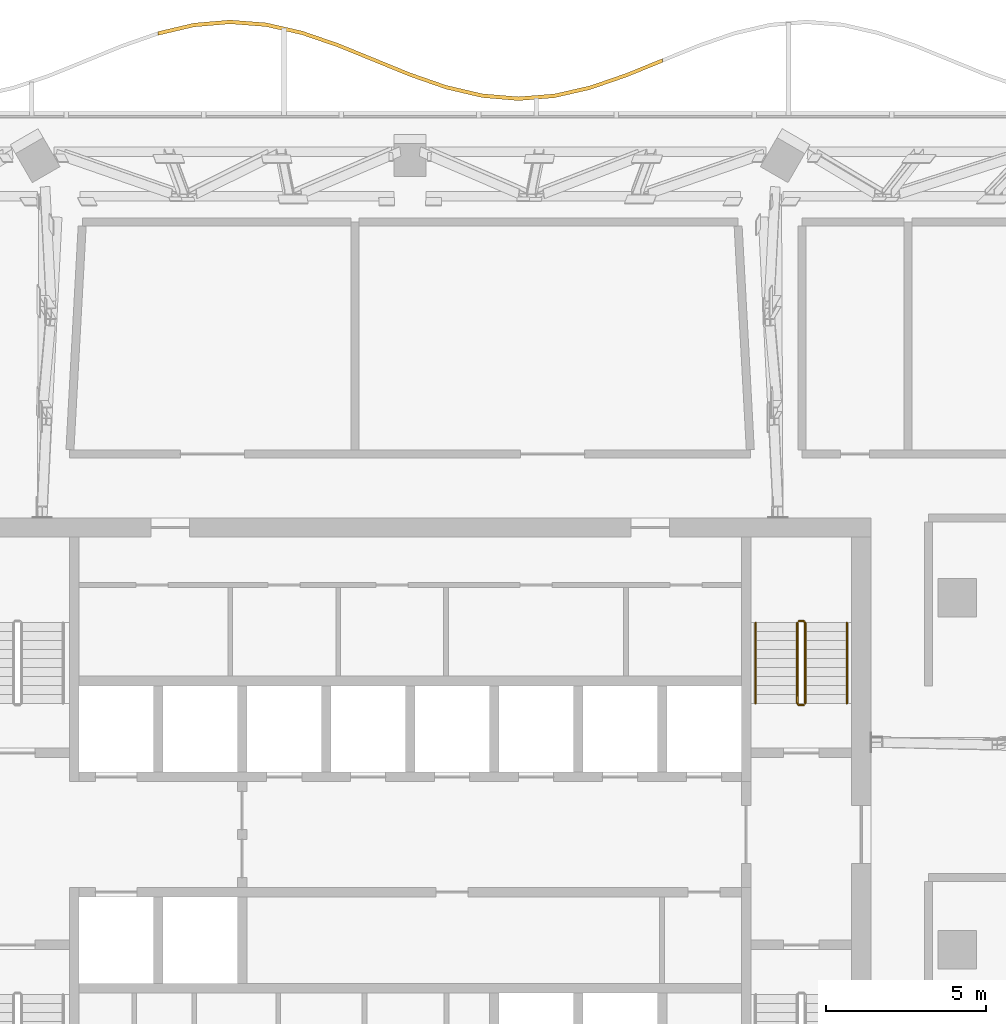
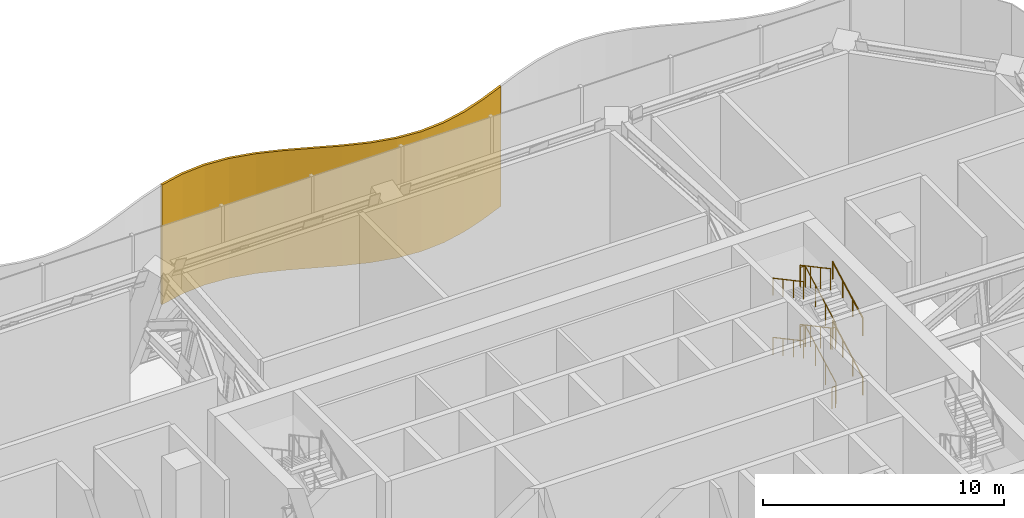
# One storey, part 28 of 29: 9 railings, 1 shading device.
"""IFC4 building model written with IfcOpenShell, lengths in metres."""

from ifc_helpers import new_model, si_unit, direction, frame, origin, origin_2d, place, context, subcontext, project, spatial, polyline, circle, outline, extrude, material, layer, layer_set, type_object, element, save


model = new_model("IFC4")

# Units and contexts
model_context = context("Model", 3, precision=1e-05, world=origin(), true_north=direction((0.0, 1.0)))
body_context = subcontext(model_context, "Body", "Model", "MODEL_VIEW")
ifc_project = project(units=[si_unit("LENGTHUNIT", "METRE"), si_unit("AREAUNIT", "SQUARE_METRE"), si_unit("VOLUMEUNIT", "CUBIC_METRE"), si_unit("PLANEANGLEUNIT", "RADIAN"), si_unit("MASSUNIT", "GRAM", prefix="KILO")], contexts=[model_context])

# Site, building, storey
site_placement = place(None, origin())
site = spatial("IfcSite", under=ifc_project, at=site_placement, CompositionType="ELEMENT")
building_placement = place(site_placement, origin())
building = spatial("IfcBuilding", under=site, at=building_placement, Name="Mopane Tessera Tower", CompositionType="ELEMENT")
storey_placement = place(building_placement, frame((0.0, 0.0, 315.39990234375)))
storey = spatial("IfcBuildingStorey", under=building, at=storey_placement, Name="L69", CompositionType="ELEMENT", Elevation=315.39990234375)

# Railings
ifc_material_1 = material(Name="Powder-coated steel balustrade", Category="steel")
railing_type_1 = type_object("IfcRailingType", Name="Escape stair guard 1100 mm", PredefinedType="GUARDRAIL", material=ifc_material_1)
railing_1_placement = place(storey_placement, frame((12.35009765625, 7.699951171875, 0.150146484375)))
element("IfcRailing", 1, at=railing_1_placement, inside=storey, type_object=railing_type_1, Name="L69 ST4 stair guard 1", PredefinedType="GUARDRAIL", context=body_context, shape_type="SweptSolid", body=[
    extrude(circle(Radius=0.02392578125, at=origin_2d()), frame((0.0, 0.0, 1.076171875), z_axis=(0.0, 0.88150282143, 0.472178754087), x_axis=(-1.0, 0.0, 0.0)), (0.0, 0.0, 1.0), 2.85888671875),
    extrude(circle(Radius=0.02392578125, at=origin_2d()), frame((0.0, 2.52001953125, 2.42578125), z_axis=(-0.707106781187, 0.707106781187, 0.0), x_axis=(-0.707106781187, -0.707106781187, 0.0)), (0.0, 0.0, 1.0), 0.07080078125),
    extrude(circle(Radius=0.02392578125, at=origin_2d()), frame((-0.050048828125, 2.570068359375, 2.42578125), z_axis=(-1.0, 0.0, 0.0), x_axis=(0.0, -1.0, 0.0)), (0.0, 0.0, 1.0), 0.150146484375),
    extrude(circle(Radius=0.02099609375, at=origin_2d()), origin(), (0.0, 0.0, 1.0), 1.052001953125),
    extrude(circle(Radius=0.02099609375, at=origin_2d()), frame((0.0, 0.840087890625, 0.449951171875)), (0.0, 0.0, 1.0), 1.052001953125),
    extrude(circle(Radius=0.02099609375, at=origin_2d()), frame((0.0, 1.679931640625, 0.89990234375)), (0.0, 0.0, 1.0), 1.052001953125),
    extrude(circle(Radius=0.02099609375, at=origin_2d()), frame((0.0, 2.52001953125, 1.349853515625)), (0.0, 0.0, 1.0), 1.052001953125),
    extrude(circle(Radius=0.02099609375, at=origin_2d()), frame((-0.050048828125, 2.570068359375, 1.349853515625)), (0.0, 0.0, 1.0), 1.052001953125),
    extrude(circle(Radius=0.02099609375, at=origin_2d()), frame((-0.2001953125, 2.570068359375, 1.349853515625)), (0.0, 0.0, 1.0), 1.052001953125),
])
railing_2_placement = place(storey_placement, frame((12.10009765625, 10.219970703125, 1.650146484375)))
element("IfcRailing", 2, at=railing_2_placement, inside=storey, type_object=railing_type_1, Name="L69 ST4 stair guard 2", PredefinedType="GUARDRAIL", context=body_context, shape_type="SweptSolid", body=[
    extrude(circle(Radius=0.02392578125, at=origin_2d()), frame((0.0, 0.0, 1.076171875), z_axis=(0.0, -0.88150282143, 0.472178754087), x_axis=(1.0, 0.0, 0.0)), (0.0, 0.0, 1.0), 2.85888671875),
    extrude(circle(Radius=0.02392578125, at=origin_2d()), frame((0.0, -2.52001953125, 2.42578125), z_axis=(0.705375805398, -0.708833529934, 0.0), x_axis=(0.708833529934, 0.705375805398, 0.0)), (0.0, 0.0, 1.0), 0.070556640625),
    extrude(circle(Radius=0.02392578125, at=origin_2d()), frame((0.0498046875, -2.570068359375, 2.42578125), z_axis=(1.0, 0.0, 0.0), x_axis=(0.0, 1.0, 0.0)), (0.0, 0.0, 1.0), 0.150146484375),
    extrude(circle(Radius=0.02099609375, at=origin_2d()), origin(), (0.0, 0.0, 1.0), 1.052001953125),
    extrude(circle(Radius=0.02099609375, at=origin_2d()), frame((0.0, -0.840087890625, 0.449951171875)), (0.0, 0.0, 1.0), 1.052001953125),
    extrude(circle(Radius=0.02099609375, at=origin_2d()), frame((0.0, -1.679931640625, 0.89990234375)), (0.0, 0.0, 1.0), 1.052001953125),
    extrude(circle(Radius=0.02099609375, at=origin_2d()), frame((0.0, -2.52001953125, 1.349853515625)), (0.0, 0.0, 1.0), 1.052001953125),
    extrude(circle(Radius=0.02099609375, at=origin_2d()), frame((0.0498046875, -2.570068359375, 1.349853515625)), (0.0, 0.0, 1.0), 1.052001953125),
    extrude(circle(Radius=0.02099609375, at=origin_2d()), frame((0.199951171875, -2.570068359375, 1.349853515625)), (0.0, 0.0, 1.0), 1.052001953125),
])
railing_3_placement = place(storey_placement, frame((12.35009765625, 7.699951171875, 3.150146484375)))
element("IfcRailing", 3, at=railing_3_placement, inside=storey, type_object=railing_type_1, Name="L69 ST4 stair guard 3", PredefinedType="GUARDRAIL", context=body_context, shape_type="SweptSolid", body=[
    extrude(circle(Radius=0.02392578125, at=origin_2d()), frame((0.0, 0.0, 1.076171875), z_axis=(0.0, 0.88150282143, 0.472178754087), x_axis=(-1.0, 0.0, 0.0)), (0.0, 0.0, 1.0), 2.85888671875),
    extrude(circle(Radius=0.02392578125, at=origin_2d()), frame((0.0, 2.52001953125, 2.42578125), z_axis=(-0.707106781187, 0.707106781187, 0.0), x_axis=(-0.707106781187, -0.707106781187, 0.0)), (0.0, 0.0, 1.0), 0.07080078125),
    extrude(circle(Radius=0.02392578125, at=origin_2d()), frame((-0.050048828125, 2.570068359375, 2.42578125), z_axis=(-1.0, 0.0, 0.0), x_axis=(0.0, -1.0, 0.0)), (0.0, 0.0, 1.0), 0.150146484375),
    extrude(circle(Radius=0.02099609375, at=origin_2d()), origin(), (0.0, 0.0, 1.0), 1.052001953125),
    extrude(circle(Radius=0.02099609375, at=origin_2d()), frame((0.0, 0.840087890625, 0.449951171875)), (0.0, 0.0, 1.0), 1.052001953125),
    extrude(circle(Radius=0.02099609375, at=origin_2d()), frame((0.0, 1.679931640625, 0.89990234375)), (0.0, 0.0, 1.0), 1.052001953125),
    extrude(circle(Radius=0.02099609375, at=origin_2d()), frame((0.0, 2.52001953125, 1.349853515625)), (0.0, 0.0, 1.0), 1.052001953125),
    extrude(circle(Radius=0.02099609375, at=origin_2d()), frame((-0.050048828125, 2.570068359375, 1.349853515625)), (0.0, 0.0, 1.0), 1.052001953125),
    extrude(circle(Radius=0.02099609375, at=origin_2d()), frame((-0.2001953125, 2.570068359375, 1.349853515625)), (0.0, 0.0, 1.0), 1.052001953125),
])
railing_4_placement = place(storey_placement, frame((12.10009765625, 10.219970703125, 4.650146484375)))
element("IfcRailing", 4, at=railing_4_placement, inside=storey, type_object=railing_type_1, Name="L69 ST4 stair guard 4", PredefinedType="GUARDRAIL", context=body_context, shape_type="SweptSolid", body=[
    extrude(circle(Radius=0.02392578125, at=origin_2d()), frame((0.0, 0.0, 1.076171875), z_axis=(0.0, -0.88150282143, 0.472178754087), x_axis=(1.0, 0.0, 0.0)), (0.0, 0.0, 1.0), 2.85888671875),
    extrude(circle(Radius=0.02099609375, at=origin_2d()), origin(), (0.0, 0.0, 1.0), 1.052001953125),
    extrude(circle(Radius=0.02099609375, at=origin_2d()), frame((0.0, -0.840087890625, 0.449951171875)), (0.0, 0.0, 1.0), 1.052001953125),
    extrude(circle(Radius=0.02099609375, at=origin_2d()), frame((0.0, -1.679931640625, 0.89990234375)), (0.0, 0.0, 1.0), 1.052001953125),
    extrude(circle(Radius=0.02099609375, at=origin_2d()), frame((0.0, -2.52001953125, 1.349853515625)), (0.0, 0.0, 1.0), 1.052001953125),
])
railing_5_placement = place(storey_placement, frame((12.300048828125, 7.64990234375, 0.0)))
element("IfcRailing", 5, at=railing_5_placement, inside=storey, type_object=railing_type_1, Name="L69 ST4 stair guard 5", PredefinedType="GUARDRAIL", context=body_context, shape_type="SweptSolid", body=[
    extrude(circle(Radius=0.02392578125, at=origin_2d()), frame((0.0, 0.0, 1.076171875), z_axis=(-1.0, 0.0, 0.0), x_axis=(0.0, -1.0, 0.0)), (0.0, 0.0, 1.0), 0.150146484375),
    extrude(circle(Radius=0.02099609375, at=origin_2d()), origin(), (0.0, 0.0, 1.0), 1.052001953125),
    extrude(circle(Radius=0.02099609375, at=origin_2d()), frame((-0.150146484375, 0.0, 0.0)), (0.0, 0.0, 1.0), 1.052001953125),
])
ifc_material_2 = material(Name="Powder-coated steel balustrade", Category="steel")
railing_type_2 = type_object("IfcRailingType", Name="Escape stair handrail 900 mm", PredefinedType="HANDRAIL", material=ifc_material_2)
railing_6_placement = place(storey_placement, frame((13.64990234375, 7.699951171875, 0.150146484375)))
element("IfcRailing", 6, at=railing_6_placement, inside=storey, type_object=railing_type_2, Name="L69 ST4 stair handrail 1", PredefinedType="HANDRAIL", context=body_context, shape_type="SweptSolid", body=[
    extrude(circle(Radius=0.02392578125, at=origin_2d()), frame((0.0, 0.0, 0.8759765625), z_axis=(0.0, 0.88150282143, 0.472178754087), x_axis=(-1.0, 0.0, 0.0)), (0.0, 0.0, 1.0), 2.85888671875),
    extrude(circle(Radius=0.02099609375, at=origin_2d()), origin(), (0.0, 0.0, 1.0), 0.851806640625),
    extrude(circle(Radius=0.02099609375, at=origin_2d()), frame((0.0, 0.840087890625, 0.449951171875)), (0.0, 0.0, 1.0), 0.851806640625),
    extrude(circle(Radius=0.02099609375, at=origin_2d()), frame((0.0, 1.679931640625, 0.89990234375)), (0.0, 0.0, 1.0), 0.851806640625),
    extrude(circle(Radius=0.02099609375, at=origin_2d()), frame((0.0, 2.52001953125, 1.349853515625)), (0.0, 0.0, 1.0), 0.851806640625),
])
railing_7_placement = place(storey_placement, frame((10.800048828125, 10.219970703125, 1.650146484375)))
element("IfcRailing", 7, at=railing_7_placement, inside=storey, type_object=railing_type_2, Name="L69 ST4 stair handrail 2", PredefinedType="HANDRAIL", context=body_context, shape_type="SweptSolid", body=[
    extrude(circle(Radius=0.02392578125, at=origin_2d()), frame((0.0, 0.0, 0.8759765625), z_axis=(0.0, -0.88150282143, 0.472178754087), x_axis=(1.0, 0.0, 0.0)), (0.0, 0.0, 1.0), 2.85888671875),
    extrude(circle(Radius=0.02099609375, at=origin_2d()), origin(), (0.0, 0.0, 1.0), 0.851806640625),
    extrude(circle(Radius=0.02099609375, at=origin_2d()), frame((0.0, -0.840087890625, 0.449951171875)), (0.0, 0.0, 1.0), 0.851806640625),
    extrude(circle(Radius=0.02099609375, at=origin_2d()), frame((0.0, -1.679931640625, 0.89990234375)), (0.0, 0.0, 1.0), 0.851806640625),
    extrude(circle(Radius=0.02099609375, at=origin_2d()), frame((0.0, -2.52001953125, 1.349853515625)), (0.0, 0.0, 1.0), 0.851806640625),
])
railing_8_placement = place(storey_placement, frame((13.64990234375, 7.699951171875, 3.150146484375)))
element("IfcRailing", 8, at=railing_8_placement, inside=storey, type_object=railing_type_2, Name="L69 ST4 stair handrail 3", PredefinedType="HANDRAIL", context=body_context, shape_type="SweptSolid", body=[
    extrude(circle(Radius=0.02392578125, at=origin_2d()), frame((0.0, 0.0, 0.8759765625), z_axis=(0.0, 0.88150282143, 0.472178754087), x_axis=(-1.0, 0.0, 0.0)), (0.0, 0.0, 1.0), 2.85888671875),
    extrude(circle(Radius=0.02099609375, at=origin_2d()), origin(), (0.0, 0.0, 1.0), 0.851806640625),
    extrude(circle(Radius=0.02099609375, at=origin_2d()), frame((0.0, 0.840087890625, 0.449951171875)), (0.0, 0.0, 1.0), 0.851806640625),
    extrude(circle(Radius=0.02099609375, at=origin_2d()), frame((0.0, 1.679931640625, 0.89990234375)), (0.0, 0.0, 1.0), 0.851806640625),
    extrude(circle(Radius=0.02099609375, at=origin_2d()), frame((0.0, 2.52001953125, 1.349853515625)), (0.0, 0.0, 1.0), 0.851806640625),
])
railing_9_placement = place(storey_placement, frame((10.800048828125, 10.219970703125, 4.650146484375)))
element("IfcRailing", 9, at=railing_9_placement, inside=storey, type_object=railing_type_2, Name="L69 ST4 stair handrail 4", PredefinedType="HANDRAIL", context=body_context, shape_type="SweptSolid", body=[
    extrude(circle(Radius=0.02392578125, at=origin_2d()), frame((0.0, 0.0, 0.8759765625), z_axis=(0.0, -0.88150282143, 0.472178754087), x_axis=(1.0, 0.0, 0.0)), (0.0, 0.0, 1.0), 2.85888671875),
    extrude(circle(Radius=0.02099609375, at=origin_2d()), origin(), (0.0, 0.0, 1.0), 0.851806640625),
    extrude(circle(Radius=0.02099609375, at=origin_2d()), frame((0.0, -0.840087890625, 0.449951171875)), (0.0, 0.0, 1.0), 0.851806640625),
    extrude(circle(Radius=0.02099609375, at=origin_2d()), frame((0.0, -1.679931640625, 0.89990234375)), (0.0, 0.0, 1.0), 0.851806640625),
    extrude(circle(Radius=0.02099609375, at=origin_2d()), frame((0.0, -2.52001953125, 1.349853515625)), (0.0, 0.0, 1.0), 0.851806640625),
])

# Shading device
ifc_material_3 = material(Name="Anodised aluminium louvre blades", Category="aluminium")
ifc_layer = layer(ifc_material_3, 0.1201171875)
ifc_layer_set = layer_set([ifc_layer], Name="Anodised aluminium louvre blades")
shading_device_type = type_object("IfcShadingDeviceType", Name="Wave louvre screen", PredefinedType="JALOUSIE", material=ifc_layer_set)
shading_device_placement = place(storey_placement, frame((0.0, 0.0, -0.419921875)))
element("IfcShadingDevice", 10, at=shading_device_placement, inside=storey, type_object=shading_device_type, Name="e:lv:L69:N:1", PredefinedType="JALOUSIE", context=body_context, shape_type="SweptSolid", body=[
    extrude(outline(polyline([(7.88330078125, 27.73291015625), (6.757080078125, 27.27392578125), (5.630859375, 26.8857421875), (4.5048828125, 26.628173828125), (3.378662109375, 26.5400390625), (2.25244140625, 26.635009765625), (1.126220703125, 26.8984375), (0.0, 27.29052734375), (-1.126220703125, 27.7509765625), (-2.25244140625, 28.209716796875), (-3.378662109375, 28.596923828125), (-4.5048828125, 28.853271484375), (-5.630859375, 28.93994140625), (-6.757080078125, 28.843505859375), (-7.88330078125, 28.57861328125), (-7.88330078125, 28.698486328125), (-6.757080078125, 28.96337890625), (-5.630859375, 29.059814453125), (-4.5048828125, 28.973388671875), (-3.378662109375, 28.717041015625), (-2.25244140625, 28.329833984375), (-1.126220703125, 27.870849609375), (0.0, 27.410400390625), (1.126220703125, 27.0185546875), (2.25244140625, 26.755126953125), (3.378662109375, 26.659912109375), (4.5048828125, 26.748046875), (5.630859375, 27.005859375), (6.757080078125, 27.393798828125), (7.88330078125, 27.85302734375), (7.88330078125, 27.73291015625)])), origin(), (0.0, 0.0, 1.0), 6.070068359375),
])

save(model, "model.ifc")
